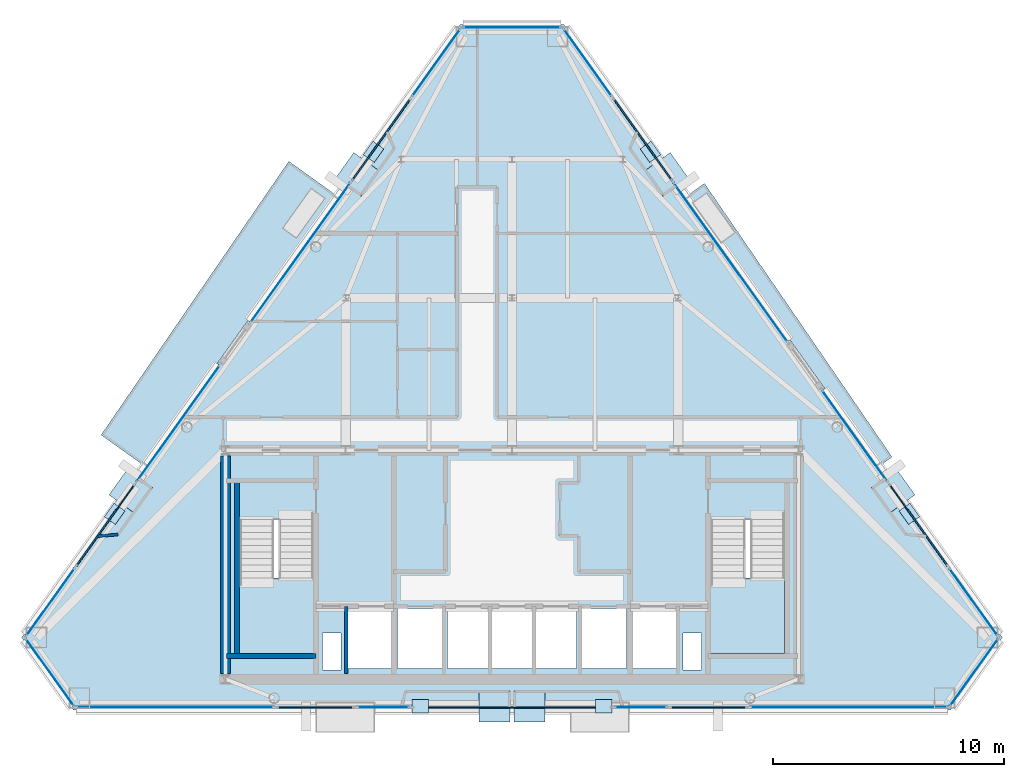
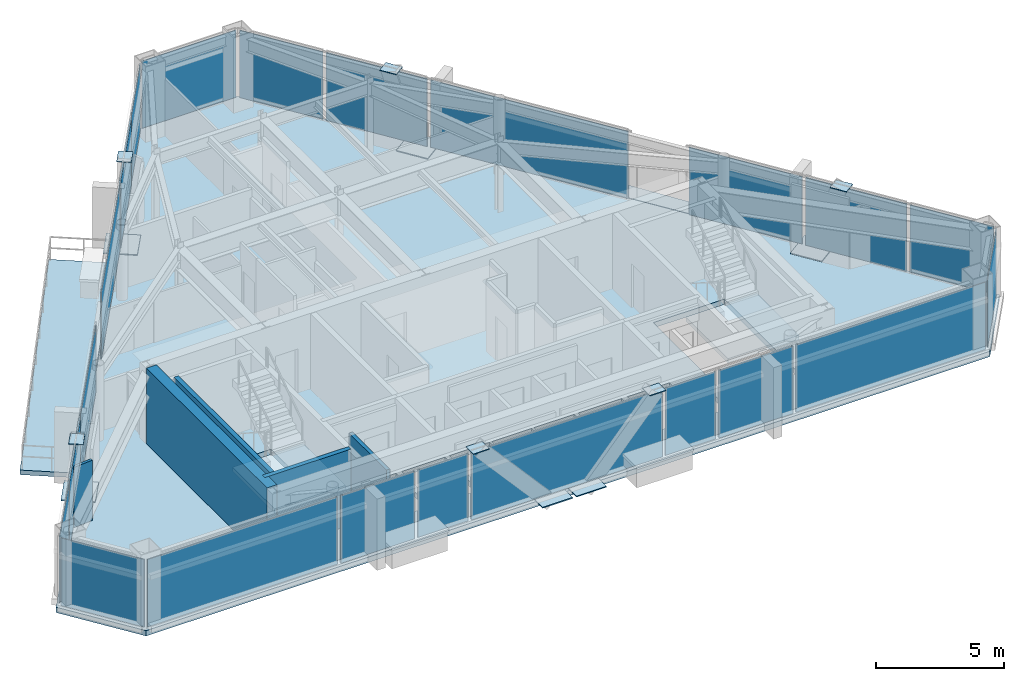
# One storey, part 7 of 12: 34 plates, 5 slabs, 5 walls, 24 elements without a shape of their own.
"""IFC4 building model written with IfcOpenShell, lengths in metres."""

from ifc_helpers import new_model, si_unit, direction, frame, frame_2d, origin, origin_2d, place, context, subcontext, project, spatial, polyline, rectangle, outline, extrude, source, transform, mapped, material, layer, layer_set, type_object, type_shapes, element, aggregate, save


model = new_model("IFC4")

# Units and contexts
model_context = context("Model", 3, precision=1e-05, world=origin(), true_north=direction((0.0, 1.0)))
body_context = subcontext(model_context, "Body", "Model", "MODEL_VIEW")
ifc_project = project(units=[si_unit("LENGTHUNIT", "METRE"), si_unit("AREAUNIT", "SQUARE_METRE"), si_unit("VOLUMEUNIT", "CUBIC_METRE"), si_unit("PLANEANGLEUNIT", "RADIAN"), si_unit("MASSUNIT", "GRAM", prefix="KILO")], contexts=[model_context])

# Site, building, storey
site_placement = place(None, origin())
site = spatial("IfcSite", under=ifc_project, at=site_placement, CompositionType="ELEMENT")
building_placement = place(site_placement, origin())
building = spatial("IfcBuilding", under=site, at=building_placement, Name="Talgorran Terracotta Tower", CompositionType="ELEMENT")
storey_placement = place(building_placement, frame((0.0, 0.0, 263.39990234375)))
storey = spatial("IfcBuildingStorey", under=building, at=storey_placement, Name="L69", CompositionType="ELEMENT", Elevation=263.39990234375)

# Plates
ifc_material_1 = material(Name="Steel Grade 350 (350L0)", Category="steel")
ifc_layer_1 = layer(ifc_material_1, 0.031982421875, Name="PL_CAP_MN07")
ifc_layer_set_1 = layer_set([ifc_layer_1], Name="Steel Grade 350 (350L0)")
plate_type_1 = type_object("IfcPlateType", Name="PL_CAP_MN07", PredefinedType="USERDEFINED", material=ifc_layer_set_1)
for number, where, z_axis, x_axis, name in (
    (1, (-3.968994140625, -15.27880859375, 3.3193359375), (0.0, 0.0, 1.0), (-1.0, 0.0, 0.0), "L69 Diagonal Frame End Cap SWF Top"),
    (2, (3.968994140625, -15.27880859375, 3.3193359375), (0.0, 0.0, 1.0), (1.0, 0.0, 0.0), "L69 Diagonal Frame End Cap SEF Top"),
    (3, (17.197509765625, -6.9482421875, 3.3193359375), (0.0, 0.0, 1.0), (0.581697151818, -0.813405448449, 0.0), "L69 Diagonal Frame End Cap NEL Top"),
    (4, (5.990234375, 8.7216796875, 3.3193359375), (0.0, 0.0, 1.0), (-0.581697151818, 0.813405448449, 0.0), "L69 Diagonal Frame End Cap NEU Top"),
    (5, (-5.990234375, 8.7216796875, 3.3193359375), (0.0, 0.0, 1.0), (0.581697151818, 0.813405448449, 0.0), "L69 Diagonal Frame End Cap NWU Top"),
    (6, (-17.197509765625, -6.9482421875, 3.3193359375), (0.0, 0.0, 1.0), (-0.581697151818, -0.813405448449, 0.0), "L69 Diagonal Frame End Cap NWL Top"),
):
    element("IfcPlate", number, at=place(storey_placement, frame(where, z_axis=z_axis, x_axis=x_axis)), inside=storey, type_object=plate_type_1, Name=name, ObjectType="CAP PLATE", PredefinedType="USERDEFINED", context=body_context, shape_type="SweptSolid", body=[
        extrude(rectangle(XDim=0.719970703125, YDim=0.580078125, at=origin_2d()), origin(), (0.0, 0.0, 1.0), 0.031982421875),
    ])
ifc_layer_2 = layer(ifc_material_1, 0.050048828125, Name="PL_NODE_MN03")
ifc_layer_set_2 = layer_set([ifc_layer_2], Name="Steel Grade 350 (350L0)")
plate_type_2 = type_object("IfcPlateType", Name="PL_NODE_MN03", PredefinedType="USERDEFINED", material=ifc_layer_set_2)
for number, where, z_axis, x_axis, name in (
    (7, (-0.756103515625, -15.27880859375, -0.01513671875), (0.0, 0.0, 1.0), (-1.0, 0.0, 0.0), "L69 Diagonal Frame End Cap SWF Bot"),
    (8, (0.756103515625, -15.27880859375, -0.01513671875), (0.0, 0.0, 1.0), (1.0, 0.0, 0.0), "L69 Diagonal Frame End Cap SEF Bot"),
    (9, (16.499267578125, -5.97216796875, -0.01513671875), (0.0, 0.0, 1.0), (0.581697151818, -0.813405448449, 0.0), "L69 Diagonal Frame End Cap NEL Bot"),
    (10, (6.6884765625, 7.74560546875, -0.01513671875), (0.0, 0.0, 1.0), (-0.581697151818, 0.813405448449, 0.0), "L69 Diagonal Frame End Cap NEU Bot"),
    (11, (-6.6884765625, 7.74560546875, -0.01513671875), (0.0, 0.0, 1.0), (0.581697151818, 0.813405448449, 0.0), "L69 Diagonal Frame End Cap NWU Bot"),
    (12, (-16.499267578125, -5.97216796875, -0.01513671875), (0.0, 0.0, 1.0), (-0.581697151818, -0.813405448449, 0.0), "L69 Diagonal Frame End Cap NWL Bot"),
):
    element("IfcPlate", number, at=place(storey_placement, frame(where, z_axis=z_axis, x_axis=x_axis)), inside=storey, type_object=plate_type_2, Name=name, ObjectType="NODE PLATE", PredefinedType="USERDEFINED", context=body_context, shape_type="SweptSolid", body=[
        extrude(rectangle(XDim=1.35009765625, YDim=1.35009765625, at=origin_2d()), origin(), (0.0, 0.0, 1.0), 0.050048828125),
    ])

# Slabs
ifc_material_2 = material(Name="Concrete C40/50", Category="concrete")
ifc_layer_3 = layer(ifc_material_2, 0.219970703125, Name="SL_BALCONY_220")
ifc_layer_set_3 = layer_set([ifc_layer_3], Name="Concrete C40/50")
slab_type_1 = type_object("IfcSlabType", Name="SL_BALCONY_220", PredefinedType="FLOOR", material=ifc_layer_set_3)
slab_1_placement = place(storey_placement, frame((0.0, 0.0, -0.219970703125)))
element("IfcSlab", 13, at=slab_1_placement, inside=storey, type_object=slab_type_1, Name="L69 Outdoor Wave Balcony BAL-NE", PredefinedType="FLOOR", context=body_context, shape_type="SweptSolid", body=[
    extrude(outline(polyline([(7.569580078125, 6.814208984375), (15.92138671875, -4.863525390625), (16.4501953125, -4.485595703125), (8.328125, 7.356689453125), (7.569580078125, 6.814208984375)])), origin(), (0.0, 0.0, 1.0), 0.219970703125),
])
slab_2_placement = place(storey_placement, frame((0.0, 0.0, -0.219970703125)))
element("IfcSlab", 14, at=slab_2_placement, inside=storey, type_object=slab_type_1, Name="L69 Outdoor Wave Balcony BAL-NW", PredefinedType="FLOOR", context=body_context, shape_type="SweptSolid", body=[
    extrude(outline(polyline([(-15.92138671875, -4.863525390625), (-7.569580078125, 6.814208984375), (-9.66015625, 8.309326171875), (-17.781982421875, -3.532958984375), (-15.92138671875, -4.863525390625)])), origin(), (0.0, 0.0, 1.0), 0.219970703125),
])

# Stair, slab
stair_type = type_object("IfcStairType", Name="ST_FIRE_SCISSOR", PredefinedType="HALF_TURN_STAIR", material=ifc_material_2)
stair_1_placement = place(storey_placement, origin())
stair_1 = element("IfcStair", 15, at=stair_1_placement, inside=storey, type_object=stair_type, Name="L69 West Protected Fire Stair ST-01", PredefinedType="HALF_TURN_STAIR")
ifc_layer_4 = layer(ifc_material_2, 0.199951171875, Name="SL_LANDING_200")
ifc_layer_set_4 = layer_set([ifc_layer_4], Name="Concrete C40/50")
slab_type_2 = type_object("IfcSlabType", Name="SL_LANDING_200", PredefinedType="LANDING", material=ifc_layer_set_4)
slab_3_placement = place(storey_placement, frame((0.0, 0.0, 1.60009765625)))
slab_3 = element("IfcSlab", 16, at=slab_3_placement, type_object=slab_type_2, Name="ST-01 landing 1", PredefinedType="LANDING", context=body_context, shape_type="SweptSolid", body=[
    extrude(outline(polyline([(-11.800048828125, -9.719970703125), (-11.800048828125, -13.0), (-8.60009765625, -13.0), (-8.60009765625, -9.719970703125), (-11.800048828125, -9.719970703125)])), origin(), (0.0, 0.0, 1.0), 0.199951171875),
])
aggregate(stair_1, [slab_3])

stair_2_placement = place(storey_placement, origin())
stair_2 = element("IfcStair", 17, at=stair_2_placement, inside=storey, type_object=stair_type, Name="L69 East Protected Fire Stair ST-02", PredefinedType="HALF_TURN_STAIR")
slab_4_placement = place(storey_placement, frame((0.0, 0.0, 1.60009765625)))
slab_4 = element("IfcSlab", 18, at=slab_4_placement, type_object=slab_type_2, Name="ST-02 landing 1", PredefinedType="LANDING", context=body_context, shape_type="SweptSolid", body=[
    extrude(outline(polyline([(8.60009765625, -9.719970703125), (8.60009765625, -13.0), (11.800048828125, -13.0), (11.800048828125, -9.719970703125), (8.60009765625, -9.719970703125)])), origin(), (0.0, 0.0, 1.0), 0.199951171875),
])
aggregate(stair_2, [slab_4])

# Slab
ifc_layer_5 = layer(ifc_material_2, 0.2548828125, Name="SL_TOWER_235")
ifc_layer_set_5 = layer_set([ifc_layer_5], Name="Concrete C40/50")
slab_type_3 = type_object("IfcSlabType", Name="SL_TOWER_235", PredefinedType="FLOOR", material=ifc_layer_set_5)
slab_5_placement = place(storey_placement, frame((0.0, 0.0, -0.2548828125)))
element("IfcSlab", 19, at=slab_5_placement, inside=storey, type_object=slab_type_3, Name="Storey L69 Structural Floor Slab", PredefinedType="FLOOR", context=body_context, shape_type="SweptSolid", body=[
    extrude(outline(polyline([(-21.22412109375, -12.303466796875), (-18.981689453125, -15.43896484375), (18.981689453125, -15.43896484375), (21.22412109375, -12.303466796875), (2.242431640625, 14.23681640625), (-2.242431640625, 14.23681640625), (-21.22412109375, -12.303466796875)]), holes=[polyline([(-11.800048828125, -7.199951171875), (-11.800048828125, -13.0), (-8.60009765625, -13.0), (-8.60009765625, -7.199951171875), (-11.800048828125, -7.199951171875)]), polyline([(8.60009765625, -7.199951171875), (8.60009765625, -13.0), (11.800048828125, -13.0), (11.800048828125, -7.199951171875), (8.60009765625, -7.199951171875)]), polyline([(-7.10009765625, -13.64990234375), (-5.199951171875, -13.64990234375), (-5.199951171875, -11.050048828125), (-7.10009765625, -11.050048828125), (-7.10009765625, -13.64990234375)]), polyline([(5.199951171875, -13.64990234375), (7.10009765625, -13.64990234375), (7.10009765625, -11.050048828125), (5.199951171875, -11.050048828125), (5.199951171875, -13.64990234375)]), polyline([(3.0, -13.64990234375), (4.949951171875, -13.64990234375), (4.949951171875, -11.050048828125), (3.0, -11.050048828125), (3.0, -13.64990234375)]), polyline([(-4.949951171875, -13.64990234375), (-3.0, -13.64990234375), (-3.0, -11.050048828125), (-4.949951171875, -11.050048828125), (-4.949951171875, -13.64990234375)]), polyline([(-2.800048828125, -13.64990234375), (-1.0, -13.64990234375), (-1.0, -11.050048828125), (-2.800048828125, -11.050048828125), (-2.800048828125, -13.64990234375)]), polyline([(-0.89990234375, -13.64990234375), (0.89990234375, -13.64990234375), (0.89990234375, -11.050048828125), (-0.89990234375, -11.050048828125), (-0.89990234375, -13.64990234375)]), polyline([(1.0, -13.64990234375), (2.800048828125, -13.64990234375), (2.800048828125, -11.050048828125), (1.0, -11.050048828125), (1.0, -13.64990234375)]), polyline([(-8.199951171875, -13.699951171875), (-7.39990234375, -13.699951171875), (-7.39990234375, -12.10009765625), (-8.199951171875, -12.10009765625), (-8.199951171875, -13.699951171875)]), polyline([(7.39990234375, -13.699951171875), (8.199951171875, -13.699951171875), (8.199951171875, -12.10009765625), (7.39990234375, -12.10009765625), (7.39990234375, -13.699951171875)])]), origin(), (0.0, 0.0, 1.0), 0.2548828125),
])

# Curtain wall, plate
ifc_material_3 = material(Name="High-Wind Unitised Glazing", Category="glass")
ifc_layer_6 = layer(ifc_material_3, 0.2099609375, Name="CW_SYS3_RES_HIGH")
ifc_layer_set_6 = layer_set([ifc_layer_6], Name="High-Wind Unitised Glazing")
curtain_wall_type = type_object("IfcCurtainWallType", Name="CW_SYS3_RES_HIGH", PredefinedType="NOTDEFINED", material=ifc_layer_set_6)
curtain_wall_1_placement = place(storey_placement, origin())
curtain_wall_1 = element("IfcCurtainWall", 20, at=curtain_wall_1_placement, inside=storey, type_object=curtain_wall_type, Name="CW-L69-F0", PredefinedType="NOTDEFINED")
ifc_material_4 = material(Name="High-Wind Acoustic Vision Glass", Category="glass")
ifc_layer_7 = layer(ifc_material_4, 0.031982421875, Name="PLT_VISION_32")
ifc_layer_set_7 = layer_set([ifc_layer_7], Name="High-Wind Acoustic Vision Glass")
plate_type_3 = type_object("IfcPlateType", Name="PLT_VISION_32", PredefinedType="CURTAIN_PANEL", material=ifc_layer_set_7)
shared_shape_1 = source(origin(), body_context, "Body", "SweptSolid", [
    extrude(rectangle(XDim=3.5673828125, YDim=0.031982421875, at=origin_2d()), origin(), (0.0, 0.0, 1.0), 3.205078125),
])
plate_1_placement = place(storey_placement, frame((-19.998291015625, -13.811279296875, 0.070068359375), z_axis=(0.0, 0.0, 1.0), x_axis=(0.581745845777, -0.813370623345, 0.0)))
plate_1 = element("IfcPlate", 21, at=plate_1_placement, type_object=plate_type_3, Name="CW-L69-0 panel 1.1", PredefinedType="CURTAIN_PANEL", context=body_context, shape_type="MappedRepresentation", body=[
    mapped(shared_shape_1, transform((0.0, 0.0, 0.0), scale=1.0)),
])
aggregate(curtain_wall_1, [plate_1])

curtain_wall_2_placement = place(storey_placement, origin())
curtain_wall_2 = element("IfcCurtainWall", 22, at=curtain_wall_2_placement, inside=storey, type_object=curtain_wall_type, Name="CW-L69-F2", PredefinedType="NOTDEFINED")
plate_2_placement = place(storey_placement, frame((19.998291015625, -13.811279296875, 0.070068359375), z_axis=(0.0, 0.0, 1.0), x_axis=(0.581745845777, 0.813370623345, 0.0)))
plate_2 = element("IfcPlate", 23, at=plate_2_placement, type_object=plate_type_3, Name="CW-L69-2 panel 1.1", PredefinedType="CURTAIN_PANEL", context=body_context, shape_type="MappedRepresentation", body=[
    mapped(shared_shape_1, transform((0.0, 0.0, 0.0), scale=1.0)),
])
aggregate(curtain_wall_2, [plate_2])

curtain_wall_3_placement = place(storey_placement, origin())
curtain_wall_3 = element("IfcCurtainWall", 24, at=curtain_wall_3_placement, inside=storey, type_object=curtain_wall_type, Name="CW-L69-F1", PredefinedType="NOTDEFINED")
shared_shape_2 = source(origin(), body_context, "Body", "SweptSolid", [
    extrude(rectangle(XDim=8.537109375, YDim=0.031982421875, at=origin_2d()), origin(), (0.0, 0.0, 1.0), 3.205078125),
])
plate_3_placement = place(storey_placement, frame((-14.58154296875, -15.31884765625, 0.070068359375), z_axis=(0.0, 0.0, 1.0), x_axis=(1.0, 0.0, 0.0)))
plate_3 = element("IfcPlate", 25, at=plate_3_placement, type_object=plate_type_3, Name="CW-L69-1 panel 1.1", PredefinedType="CURTAIN_PANEL", context=body_context, shape_type="MappedRepresentation", body=[
    mapped(shared_shape_2, transform((0.0, 0.0, 0.0), scale=1.0)),
])
aggregate(curtain_wall_3, [plate_3])

curtain_wall_4_placement = place(storey_placement, origin())
curtain_wall_4 = element("IfcCurtainWall", 26, at=curtain_wall_4_placement, inside=storey, type_object=curtain_wall_type, Name="CW-L69-F1G", PredefinedType="NOTDEFINED")
plate_4_placement = place(storey_placement, frame((14.58154296875, -15.31884765625, 0.070068359375), z_axis=(0.0, 0.0, 1.0), x_axis=(1.0, 0.0, 0.0)))
plate_4 = element("IfcPlate", 27, at=plate_4_placement, type_object=plate_type_3, Name="CW-L69-1G panel 1.1", PredefinedType="CURTAIN_PANEL", context=body_context, shape_type="MappedRepresentation", body=[
    mapped(shared_shape_2, transform((0.0, 0.0, 0.0), scale=1.0)),
])
aggregate(curtain_wall_4, [plate_4])

curtain_wall_5_placement = place(storey_placement, origin())
curtain_wall_5 = element("IfcCurtainWall", 28, at=curtain_wall_5_placement, inside=storey, type_object=curtain_wall_type, Name="CW-L69-F1B", PredefinedType="NOTDEFINED")
ifc_material_5 = material(Name="Terracotta Insulated Spandrel", Category="masonry")
ifc_layer_8 = layer(ifc_material_5, 0.06494140625, Name="PLT_SPANDREL_TERRA")
ifc_layer_set_8 = layer_set([ifc_layer_8], Name="Terracotta Insulated Spandrel")
plate_type_4 = type_object("IfcPlateType", Name="PLT_SPANDREL_TERRA", PredefinedType="SHEET", material=ifc_layer_set_8)
shared_shape_3 = source(origin(), body_context, "Body", "SweptSolid", [
    extrude(rectangle(XDim=3.31640625, YDim=0.06494140625, at=origin_2d()), origin(), (0.0, 0.0, 1.0), 3.205078125),
])
plate_5_placement = place(storey_placement, frame((-8.504638671875, -15.31884765625, 0.070068359375), z_axis=(0.0, 0.0, 1.0), x_axis=(1.0, 0.0, 0.0)))
plate_5 = element("IfcPlate", 29, at=plate_5_placement, type_object=plate_type_4, Name="CW-L69-1B panel 1.1", PredefinedType="CURTAIN_PANEL", context=body_context, shape_type="MappedRepresentation", body=[
    mapped(shared_shape_3, transform((0.0, 0.0, 0.0), scale=1.0)),
])
aggregate(curtain_wall_5, [plate_5])

curtain_wall_6_placement = place(storey_placement, origin())
curtain_wall_6 = element("IfcCurtainWall", 30, at=curtain_wall_6_placement, inside=storey, type_object=curtain_wall_type, Name="CW-L69-F1F", PredefinedType="NOTDEFINED")
plate_6_placement = place(storey_placement, frame((8.504638671875, -15.31884765625, 0.070068359375), z_axis=(0.0, 0.0, 1.0), x_axis=(1.0, 0.0, 0.0)))
plate_6 = element("IfcPlate", 31, at=plate_6_placement, type_object=plate_type_4, Name="CW-L69-1F panel 1.1", PredefinedType="CURTAIN_PANEL", context=body_context, shape_type="MappedRepresentation", body=[
    mapped(shared_shape_3, transform((0.0, 0.0, 0.0), scale=1.0)),
])
aggregate(curtain_wall_6, [plate_6])

curtain_wall_7_placement = place(storey_placement, origin())
curtain_wall_7 = element("IfcCurtainWall", 32, at=curtain_wall_7_placement, inside=storey, type_object=curtain_wall_type, Name="CW-L69-F1C", PredefinedType="NOTDEFINED")
shared_shape_4 = source(origin(), body_context, "Body", "SweptSolid", [
    extrude(rectangle(XDim=2.2548828125, YDim=0.031982421875, at=origin_2d()), origin(), (0.0, 0.0, 1.0), 3.205078125),
])
plate_7_placement = place(storey_placement, frame((-5.569091796875, -15.31884765625, 0.070068359375), z_axis=(0.0, 0.0, 1.0), x_axis=(1.0, 0.0, 0.0)))
plate_7 = element("IfcPlate", 33, at=plate_7_placement, type_object=plate_type_3, Name="CW-L69-1C panel 1.1", PredefinedType="CURTAIN_PANEL", context=body_context, shape_type="MappedRepresentation", body=[
    mapped(shared_shape_4, transform((0.0, 0.0, 0.0), scale=1.0)),
])
aggregate(curtain_wall_7, [plate_7])

curtain_wall_8_placement = place(storey_placement, origin())
curtain_wall_8 = element("IfcCurtainWall", 34, at=curtain_wall_8_placement, inside=storey, type_object=curtain_wall_type, Name="CW-L69-F1E", PredefinedType="NOTDEFINED")
plate_8_placement = place(storey_placement, frame((5.569091796875, -15.31884765625, 0.070068359375), z_axis=(0.0, 0.0, 1.0), x_axis=(1.0, 0.0, 0.0)))
plate_8 = element("IfcPlate", 35, at=plate_8_placement, type_object=plate_type_3, Name="CW-L69-1E panel 1.1", PredefinedType="CURTAIN_PANEL", context=body_context, shape_type="MappedRepresentation", body=[
    mapped(shared_shape_4, transform((0.0, 0.0, 0.0), scale=1.0)),
])
aggregate(curtain_wall_8, [plate_8])

curtain_wall_9_placement = place(storey_placement, origin())
curtain_wall_9 = element("IfcCurtainWall", 36, at=curtain_wall_9_placement, inside=storey, type_object=curtain_wall_type, Name="CW-L69-F1D", PredefinedType="NOTDEFINED")
shared_shape_5 = source(origin(), body_context, "Body", "SweptSolid", [
    extrude(rectangle(XDim=8.5830078125, YDim=0.06494140625, at=origin_2d()), origin(), (0.0, 0.0, 1.0), 3.205078125),
])
plate_9_placement = place(storey_placement, frame((0.0, -15.31884765625, 0.070068359375), z_axis=(0.0, 0.0, 1.0), x_axis=(1.0, 0.0, 0.0)))
plate_9 = element("IfcPlate", 37, at=plate_9_placement, type_object=plate_type_4, Name="CW-L69-1D panel 1.1", PredefinedType="CURTAIN_PANEL", context=body_context, shape_type="MappedRepresentation", body=[
    mapped(shared_shape_5, transform((0.0, 0.0, 0.0), scale=1.0)),
])
aggregate(curtain_wall_9, [plate_9])

curtain_wall_10_placement = place(storey_placement, origin())
curtain_wall_10 = element("IfcCurtainWall", 38, at=curtain_wall_10_placement, inside=storey, type_object=curtain_wall_type, Name="CW-L69-F40", PredefinedType="NOTDEFINED")
shared_shape_6 = source(origin(), body_context, "Body", "SweptSolid", [
    extrude(rectangle(XDim=3.56640625, YDim=0.031982421875, at=origin_2d()), origin(), (0.0, 0.0, 1.0), 3.205078125),
])
plate_10_placement = place(storey_placement, frame((19.975341796875, -10.763671875, 0.070068359375), z_axis=(0.0, 0.0, 1.0), x_axis=(-0.581728113861, 0.813383305425, 0.0)))
plate_10 = element("IfcPlate", 39, at=plate_10_placement, type_object=plate_type_3, Name="CW-L69-40 panel 1.1", PredefinedType="CURTAIN_PANEL", context=body_context, shape_type="MappedRepresentation", body=[
    mapped(shared_shape_6, transform((0.0, 0.0, 0.0), scale=1.0)),
])
aggregate(curtain_wall_10, [plate_10])

curtain_wall_11_placement = place(storey_placement, origin())
curtain_wall_11 = element("IfcCurtainWall", 40, at=curtain_wall_11_placement, inside=storey, type_object=curtain_wall_type, Name="CW-L69-F61C", PredefinedType="NOTDEFINED")
plate_11_placement = place(storey_placement, frame((-19.975341796875, -10.763671875, 0.070068359375), z_axis=(0.0, 0.0, 1.0), x_axis=(-0.581728113861, -0.813383305425, 0.0)))
plate_11 = element("IfcPlate", 41, at=plate_11_placement, type_object=plate_type_3, Name="CW-L69-61C panel 1.1", PredefinedType="CURTAIN_PANEL", context=body_context, shape_type="MappedRepresentation", body=[
    mapped(shared_shape_6, transform((0.0, 0.0, 0.0), scale=1.0)),
])
aggregate(curtain_wall_11, [plate_11])

curtain_wall_12_placement = place(storey_placement, origin())
curtain_wall_12 = element("IfcCurtainWall", 42, at=curtain_wall_12_placement, inside=storey, type_object=curtain_wall_type, Name="CW-L69-F40B", PredefinedType="NOTDEFINED")
shared_shape_7 = source(origin(), body_context, "Body", "SweptSolid", [
    extrude(rectangle(XDim=4.318115234375, YDim=0.06494140625, at=origin_2d()), origin(), (0.0, 0.0, 1.0), 3.205078125),
])
type_shapes(plate_type_4, [shared_shape_3, shared_shape_5, shared_shape_7])
plate_12_placement = place(storey_placement, frame((17.5947265625, -7.43505859375, 0.070068359375), z_axis=(0.0, 0.0, 1.0), x_axis=(-0.58172187005, 0.813387770934, 0.0)))
plate_12 = element("IfcPlate", 43, at=plate_12_placement, type_object=plate_type_4, Name="CW-L69-40B panel 1.1", PredefinedType="CURTAIN_PANEL", context=body_context, shape_type="MappedRepresentation", body=[
    mapped(shared_shape_7, transform((0.0, 0.0, 0.0), scale=1.0)),
])
aggregate(curtain_wall_12, [plate_12])

curtain_wall_13_placement = place(storey_placement, origin())
curtain_wall_13 = element("IfcCurtainWall", 44, at=curtain_wall_13_placement, inside=storey, type_object=curtain_wall_type, Name="CW-L69-F41B", PredefinedType="NOTDEFINED")
plate_13_placement = place(storey_placement, frame((5.657958984375, 9.2548828125, 0.070068359375), z_axis=(0.0, 0.0, 1.0), x_axis=(-0.581747323651, 0.813369566326, 0.0)))
plate_13 = element("IfcPlate", 45, at=plate_13_placement, type_object=plate_type_4, Name="CW-L69-41B panel 1.1", PredefinedType="CURTAIN_PANEL", context=body_context, shape_type="MappedRepresentation", body=[
    mapped(shared_shape_7, transform((0.0, 0.0, 0.0), scale=1.0)),
])
aggregate(curtain_wall_13, [plate_13])

curtain_wall_14_placement = place(storey_placement, origin())
curtain_wall_14 = element("IfcCurtainWall", 46, at=curtain_wall_14_placement, inside=storey, type_object=curtain_wall_type, Name="CW-L69-F60B", PredefinedType="NOTDEFINED")
plate_14_placement = place(storey_placement, frame((-5.657958984375, 9.2548828125, 0.070068359375), z_axis=(0.0, 0.0, 1.0), x_axis=(-0.58173248369, -0.813380180125, 0.0)))
plate_14 = element("IfcPlate", 47, at=plate_14_placement, type_object=plate_type_4, Name="CW-L69-60B panel 1.1", PredefinedType="CURTAIN_PANEL", context=body_context, shape_type="MappedRepresentation", body=[
    mapped(shared_shape_7, transform((0.0, 0.0, 0.0), scale=1.0)),
])
aggregate(curtain_wall_14, [plate_14])

curtain_wall_15_placement = place(storey_placement, origin())
curtain_wall_15 = element("IfcCurtainWall", 48, at=curtain_wall_15_placement, inside=storey, type_object=curtain_wall_type, Name="CW-L69-F61B", PredefinedType="NOTDEFINED")
plate_15_placement = place(storey_placement, frame((-17.5947265625, -7.43505859375, 0.070068359375), z_axis=(0.0, 0.0, 1.0), x_axis=(-0.58173248369, -0.813380180125, 0.0)))
plate_15 = element("IfcPlate", 49, at=plate_15_placement, type_object=plate_type_4, Name="CW-L69-61B panel 1.1", PredefinedType="CURTAIN_PANEL", context=body_context, shape_type="MappedRepresentation", body=[
    mapped(shared_shape_7, transform((0.0, 0.0, 0.0), scale=1.0)),
])
aggregate(curtain_wall_15, [plate_15])

curtain_wall_16_placement = place(storey_placement, origin())
curtain_wall_16 = element("IfcCurtainWall", 50, at=curtain_wall_16_placement, inside=storey, type_object=curtain_wall_type, Name="CW-L69-F40C", PredefinedType="NOTDEFINED")
shared_shape_8 = source(origin(), body_context, "Body", "SweptSolid", [
    extrude(rectangle(XDim=4.850341796875, YDim=0.031982421875, at=origin_2d()), origin(), (0.0, 0.0, 1.0), 3.205078125),
])
plate_16_placement = place(storey_placement, frame((14.8408203125, -3.584228515625, 0.070068359375), z_axis=(0.0, 0.0, 1.0), x_axis=(-0.581734712783, 0.813378585865, 0.0)))
plate_16 = element("IfcPlate", 51, at=plate_16_placement, type_object=plate_type_3, Name="CW-L69-40C panel 1.1", PredefinedType="CURTAIN_PANEL", context=body_context, shape_type="MappedRepresentation", body=[
    mapped(shared_shape_8, transform((0.0, 0.0, 0.0), scale=1.0)),
])
aggregate(curtain_wall_16, [plate_16])

curtain_wall_17_placement = place(storey_placement, origin())
curtain_wall_17 = element("IfcCurtainWall", 52, at=curtain_wall_17_placement, inside=storey, type_object=curtain_wall_type, Name="CW-L69-F41", PredefinedType="NOTDEFINED")
shared_shape_9 = source(origin(), body_context, "Body", "SweptSolid", [
    extrude(rectangle(XDim=8.450927734375, YDim=0.031982421875, at=origin_2d()), origin(), (0.0, 0.0, 1.0), 3.205078125),
])
plate_17_placement = place(storey_placement, frame((9.45947265625, 3.93994140625, 0.070068359375), z_axis=(0.0, 0.0, 1.0), x_axis=(-0.581730278797, 0.813381757068, 0.0)))
plate_17 = element("IfcPlate", 53, at=plate_17_placement, type_object=plate_type_3, Name="CW-L69-41 panel 1.1", PredefinedType="CURTAIN_PANEL", context=body_context, shape_type="MappedRepresentation", body=[
    mapped(shared_shape_9, transform((0.0, 0.0, 0.0), scale=1.0)),
])
aggregate(curtain_wall_17, [plate_17])

curtain_wall_18_placement = place(storey_placement, origin())
curtain_wall_18 = element("IfcCurtainWall", 54, at=curtain_wall_18_placement, inside=storey, type_object=curtain_wall_type, Name="CW-L69-F41C", PredefinedType="NOTDEFINED")
shared_shape_10 = source(origin(), body_context, "Body", "SweptSolid", [
    extrude(rectangle(XDim=3.558349609375, YDim=0.031982421875, at=origin_2d()), origin(), (0.0, 0.0, 1.0), 3.205078125),
])
plate_18_placement = place(storey_placement, frame((3.27978515625, 12.580322265625, 0.070068359375), z_axis=(0.0, 0.0, 1.0), x_axis=(-0.581731743686, 0.813380709378, 0.0)))
plate_18 = element("IfcPlate", 55, at=plate_18_placement, type_object=plate_type_3, Name="CW-L69-41C panel 1.1", PredefinedType="CURTAIN_PANEL", context=body_context, shape_type="MappedRepresentation", body=[
    mapped(shared_shape_10, transform((0.0, 0.0, 0.0), scale=1.0)),
])
aggregate(curtain_wall_18, [plate_18])

curtain_wall_19_placement = place(storey_placement, origin())
curtain_wall_19 = element("IfcCurtainWall", 56, at=curtain_wall_19_placement, inside=storey, type_object=curtain_wall_type, Name="CW-L69-F60", PredefinedType="NOTDEFINED")
plate_19_placement = place(storey_placement, frame((-3.27978515625, 12.580322265625, 0.070068359375), z_axis=(0.0, 0.0, 1.0), x_axis=(-0.581731743686, -0.813380709378, 0.0)))
plate_19 = element("IfcPlate", 57, at=plate_19_placement, type_object=plate_type_3, Name="CW-L69-60 panel 1.1", PredefinedType="CURTAIN_PANEL", context=body_context, shape_type="MappedRepresentation", body=[
    mapped(shared_shape_10, transform((0.0, 0.0, 0.0), scale=1.0)),
])
aggregate(curtain_wall_19, [plate_19])

curtain_wall_20_placement = place(storey_placement, origin())
curtain_wall_20 = element("IfcCurtainWall", 58, at=curtain_wall_20_placement, inside=storey, type_object=curtain_wall_type, Name="CW-L69-F4", PredefinedType="NOTDEFINED")
shared_shape_11 = source(origin(), body_context, "Body", "SweptSolid", [
    extrude(rectangle(XDim=4.2216796875, YDim=0.031982421875, at=origin_2d()), origin(), (0.0, 0.0, 1.0), 3.205078125),
])
plate_20_placement = place(storey_placement, frame((0.0, 14.11669921875, 0.070068359375), z_axis=(0.0, 0.0, 1.0), x_axis=(-1.0, 0.0, 0.0)))
plate_20 = element("IfcPlate", 59, at=plate_20_placement, type_object=plate_type_3, Name="CW-L69-4 panel 1.1", PredefinedType="CURTAIN_PANEL", context=body_context, shape_type="MappedRepresentation", body=[
    mapped(shared_shape_11, transform((0.0, 0.0, 0.0), scale=1.0)),
])
aggregate(curtain_wall_20, [plate_20])

curtain_wall_21_placement = place(storey_placement, origin())
curtain_wall_21 = element("IfcCurtainWall", 60, at=curtain_wall_21_placement, inside=storey, type_object=curtain_wall_type, Name="CW-L69-F60C", PredefinedType="NOTDEFINED")
shared_shape_12 = source(origin(), body_context, "Body", "SweptSolid", [
    extrude(rectangle(XDim=7.41455078125, YDim=0.031982421875, at=origin_2d()), origin(), (0.0, 0.0, 1.0), 3.205078125),
])
plate_21_placement = place(storey_placement, frame((-9.157958984375, 4.361328125, 0.070068359375), z_axis=(0.0, 0.0, 1.0), x_axis=(-0.581731437702, -0.813380928218, 0.0)))
plate_21 = element("IfcPlate", 61, at=plate_21_placement, type_object=plate_type_3, Name="CW-L69-60C panel 1.1", PredefinedType="CURTAIN_PANEL", context=body_context, shape_type="MappedRepresentation", body=[
    mapped(shared_shape_12, transform((0.0, 0.0, 0.0), scale=1.0)),
])
aggregate(curtain_wall_21, [plate_21])

curtain_wall_22_placement = place(storey_placement, origin())
curtain_wall_22 = element("IfcCurtainWall", 62, at=curtain_wall_22_placement, inside=storey, type_object=curtain_wall_type, Name="CW-L69-F61", PredefinedType="NOTDEFINED")
shared_shape_13 = source(origin(), body_context, "Body", "SweptSolid", [
    extrude(rectangle(XDim=6.186767578125, YDim=0.031982421875, at=origin_2d()), origin(), (0.0, 0.0, 1.0), 3.205078125),
])
type_shapes(plate_type_3, [shared_shape_1, shared_shape_2, shared_shape_4, shared_shape_6, shared_shape_8, shared_shape_9, shared_shape_10, shared_shape_11, shared_shape_12, shared_shape_13])
plate_22_placement = place(storey_placement, frame((-14.451904296875, -3.040771484375, 0.070068359375), z_axis=(0.0, 0.0, 1.0), x_axis=(-0.58172102625, -0.813388374406, 0.0)))
plate_22 = element("IfcPlate", 63, at=plate_22_placement, type_object=plate_type_3, Name="CW-L69-61 panel 1.1", PredefinedType="CURTAIN_PANEL", context=body_context, shape_type="MappedRepresentation", body=[
    mapped(shared_shape_13, transform((0.0, 0.0, 0.0), scale=1.0)),
])
aggregate(curtain_wall_22, [plate_22])

# Walls
ifc_material_6 = material(Name="Concrete C50/60", Category="concrete")
ifc_layer_9 = layer(ifc_material_6, 0.199951171875, Name="WT_CORE_200")
ifc_layer_set_9 = layer_set([ifc_layer_9], Name="Concrete C50/60")
wall_type_1 = type_object("IfcWallType", Name="WT_CORE_200", PredefinedType="SOLIDWALL", material=ifc_layer_set_9)
wall_1_placement = place(storey_placement, frame((-12.35009765625, -13.10009765625, 0.0), z_axis=(0.0, 0.0, 1.0), x_axis=(1.0, 0.0, 0.0)))
element("IfcWall", 64, at=wall_1_placement, inside=storey, type_object=wall_type_1, Name="WL-L69-CW-ST1-S", PredefinedType="SOLIDWALL", context=body_context, shape_type="SweptSolid", body=[
    extrude(rectangle(XDim=3.8701171875, YDim=0.199951171875, at=frame_2d((1.93505859375, 0.0))), origin(), (0.0, 0.0, 1.0), 3.60009765625),
])
wall_2_placement = place(storey_placement, frame((-11.89990234375, -13.10009765625, 0.0), z_axis=(0.0, 0.0, 1.0), x_axis=(0.0, 1.0, 0.0)))
element("IfcWall", 65, at=wall_2_placement, inside=storey, type_object=wall_type_1, Name="WL-L69-CW-ST1-W", PredefinedType="SOLIDWALL", context=body_context, shape_type="SweptSolid", body=[
    extrude(rectangle(XDim=7.580078125, YDim=0.199951171875, at=frame_2d((3.7900390625, 0.0))), origin(), (0.0, 0.0, 1.0), 3.60009765625),
])
ifc_material_7 = material(Name="Concrete C65/80", Category="concrete")
ifc_layer_10 = layer(ifc_material_7, 0.449951171875, Name="WT_CORE_EXT")
ifc_layer_set_10 = layer_set([ifc_layer_10], Name="Concrete C65/80")
wall_type_2 = type_object("IfcWallType", Name="WT_CORE_EXT", PredefinedType="SHEAR", material=ifc_layer_set_10)
wall_3_placement = place(storey_placement, frame((-12.39990234375, -13.85009765625, 0.0), z_axis=(0.0, 0.0, 1.0), x_axis=(0.0, 1.0, 0.0)))
element("IfcWall", 66, at=wall_3_placement, inside=storey, type_object=wall_type_2, Name="WL-L69-CW-OUT-W", PredefinedType="SHEAR", context=body_context, shape_type="SweptSolid", body=[
    extrude(rectangle(XDim=9.400146484375, YDim=0.449951171875, at=frame_2d((4.7001953125, 0.0))), origin(), (0.0, 0.0, 1.0), 3.60009765625),
])
ifc_material_8 = material(Name="Insulated Steel Stud Plasterboard", Category="steel")
ifc_layer_11 = layer(ifc_material_8, 0.1201171875, Name="WT_PART_120")
ifc_layer_set_11 = layer_set([ifc_layer_11], Name="Insulated Steel Stud Plasterboard")
wall_type_3 = type_object("IfcWallType", Name="WT_PART_120", PredefinedType="PARTITIONING", material=ifc_layer_set_11)
wall_4_placement = place(storey_placement, frame((-17.049072265625, -7.84130859375, 0.0), z_axis=(0.0, 0.0, 1.0), x_axis=(-0.996304768975, -0.085888342153, 0.0)))
element("IfcWall", 67, at=wall_4_placement, inside=storey, type_object=wall_type_3, Name="WL-L69-BW-L69-09", PredefinedType="PARTITIONING", context=body_context, shape_type="SweptSolid", body=[
    extrude(rectangle(XDim=0.881103515625, YDim=0.1201171875, at=frame_2d((0.4404296875, 0.0))), origin(), (0.0, 0.0, 1.0), 2.863037109375),
])
ifc_material_9 = material(Name="Fire-Rated Shaftwall")
ifc_layer_12 = layer(ifc_material_9, 0.159912109375, Name="WT_PART_150")
ifc_layer_set_12 = layer_set([ifc_layer_12], Name="Fire-Rated Shaftwall")
wall_type_4 = type_object("IfcWallType", Name="WT_PART_150", PredefinedType="PARTITIONING", material=ifc_layer_set_12)
wall_5_placement = place(storey_placement, frame((-7.179931640625, -13.85009765625, 0.0), z_axis=(0.0, 0.0, 1.0), x_axis=(0.0, 1.0, 0.0)))
element("IfcWall", 68, at=wall_5_placement, inside=storey, type_object=wall_type_4, Name="WL-L69-CW-RSW", PredefinedType="PARTITIONING", context=body_context, shape_type="SweptSolid", body=[
    extrude(rectangle(XDim=2.900146484375, YDim=0.159912109375, at=frame_2d((1.4501953125, 0.0))), origin(), (0.0, 0.0, 1.0), 2.570068359375),
])

save(model, "model.ifc")
